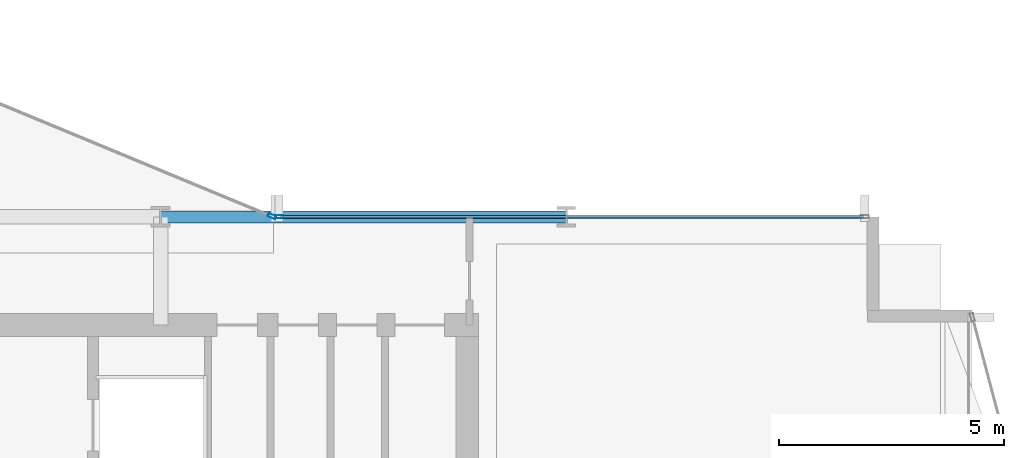
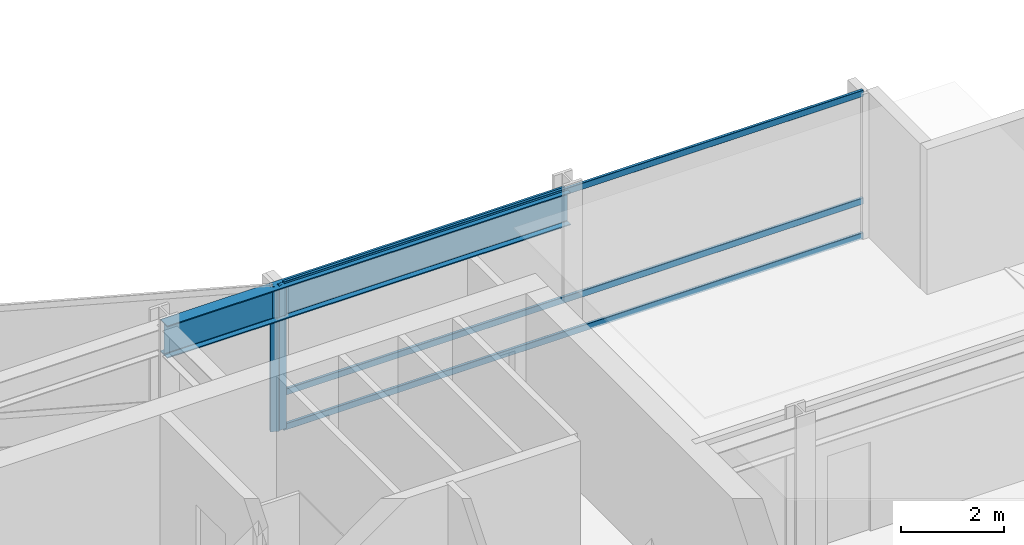
# One storey, part 13 of 28: 5 members, 1 beam, 2 elements without a shape of their own.
"""IFC4 building model written with IfcOpenShell, lengths in metres."""

from ifc_helpers import new_model, si_unit, direction, frame, origin, origin_2d, place, context, subcontext, project, spatial, hollow_rectangle, i_section, extrude, material, layer, layer_set, material_profile, profile_set, type_object, element, aggregate, save


model = new_model("IFC4")

# Units and contexts
model_context = context("Model", 3, precision=1e-05, world=origin(), true_north=direction((0.0, 1.0)))
body_context = subcontext(model_context, "Body", "Model", "MODEL_VIEW")
ifc_project = project(units=[si_unit("LENGTHUNIT", "METRE"), si_unit("AREAUNIT", "SQUARE_METRE"), si_unit("VOLUMEUNIT", "CUBIC_METRE"), si_unit("PLANEANGLEUNIT", "RADIAN"), si_unit("MASSUNIT", "GRAM", prefix="KILO")], contexts=[model_context])

# Site, building, storey
site_placement = place(None, origin())
site = spatial("IfcSite", under=ifc_project, at=site_placement, CompositionType="ELEMENT")
building_placement = place(site_placement, origin())
building = spatial("IfcBuilding", under=site, at=building_placement, Name="Solvaryn Broadcast Tower", CompositionType="ELEMENT")
storey_placement = place(building_placement, frame((0.0, 0.0, 132.199951171875)))
storey = spatial("IfcBuildingStorey", under=building, at=storey_placement, Name="L32", CompositionType="ELEMENT", Elevation=132.199951171875)

# Beam
ifc_material_1 = material(Name="Steel ASTM A992 Grade 50", Category="steel")
ifc_material_profile_1 = material_profile(ifc_material_1, i_section(OverallWidth=0.26708984375, OverallDepth=0.76611328125, WebThickness=0.014892578125, FlangeThickness=0.023681640625, FilletRadius=0.01806640625, at=origin_2d()))
ifc_profile_set_1 = profile_set([ifc_material_profile_1], Name="Steel ASTM A992 Grade 50")
beam_type = type_object("IfcBeamType", Name="BM-SP2-W30X124", PredefinedType="USERDEFINED", material=ifc_profile_set_1)
beam_placement = place(storey_placement, frame((36.0, 27.0, 3.037109375), z_axis=(1.0, 0.0, 0.0), x_axis=(0.0, 1.0, 0.0)))
element("IfcBeam", 1, at=beam_placement, inside=storey, type_object=beam_type, Name="L32 Spandrel Beam X (36-45 @ Y=27)", ObjectType="SPANDREL", PredefinedType="USERDEFINED", context=body_context, shape_type="SweptSolid", body=[
    extrude(i_section(OverallWidth=0.26708984375, OverallDepth=0.76611328125, WebThickness=0.014892578125, FlangeThickness=0.023681640625, FilletRadius=0.01806640625, at=origin_2d()), origin(), (0.0, 0.0, 1.0), 9.0),
])

# Curtain wall, member
ifc_material_2 = material(Name="Aluminium and Terracotta Unitised Curtain Wall", Category="masonry")
ifc_layer = layer(ifc_material_2, 0.199951171875)
ifc_layer_set = layer_set([ifc_layer], Name="CW-SYS2-LOWMID")
curtain_wall_type = type_object("IfcCurtainWallType", Name="CW-SYS2-LOWMID", PredefinedType="NOTDEFINED", material=ifc_layer_set)
curtain_wall_1_placement = place(storey_placement, origin())
curtain_wall_1 = element("IfcCurtainWall", 2, at=curtain_wall_1_placement, inside=storey, type_object=curtain_wall_type, Name="L32 Curtain Wall CN1", PredefinedType="NOTDEFINED")
ifc_material_3 = material(Name="Anodised Aluminium 6063-T6", Category="aluminium")
ifc_material_profile_2 = material_profile(ifc_material_3, hollow_rectangle(XDim=0.074951171875, YDim=0.179931640625, WallThickness=0.00390625, InnerFilletRadius=0.00390625, OuterFilletRadius=0.008056640625, at=origin_2d()))
ifc_profile_set_2 = profile_set([ifc_material_profile_2], Name="Anodised Aluminium 6063-T6")
member_type_1 = type_object("IfcMemberType", Name="CW-MUL-180", PredefinedType="MULLION", material=ifc_profile_set_2)
member_1_placement = place(storey_placement, frame((38.47216796875, 27.011474609375, 0.0), z_axis=(0.0, 0.0, 1.0), x_axis=(-0.382646127145, -0.923894983957, 0.0)))
member_1 = element("IfcMember", 3, at=member_1_placement, type_object=member_type_1, Name="CWS2 mullion 1", PredefinedType="MULLION", context=body_context, shape_type="SweptSolid", body=[
    extrude(hollow_rectangle(XDim=0.074951171875, YDim=0.179931640625, WallThickness=0.00390625, InnerFilletRadius=0.00390625, OuterFilletRadius=0.008056640625, at=origin_2d()), origin(), (0.0, 0.0, 1.0), 3.420166015625),
])
aggregate(curtain_wall_1, [member_1])

# Curtain wall, members
curtain_wall_2_placement = place(storey_placement, origin())
curtain_wall_2 = element("IfcCurtainWall", 4, at=curtain_wall_2_placement, inside=storey, type_object=curtain_wall_type, Name="L32 Curtain Wall IH", PredefinedType="NOTDEFINED")
member_2_placement = place(storey_placement, frame((38.6298828125, 27.0, 0.0), z_axis=(0.0, 0.0, 1.0), x_axis=(0.0, 1.0, 0.0)))
member_2 = element("IfcMember", 5, at=member_2_placement, type_object=member_type_1, Name="CWS2 mullion 1", PredefinedType="MULLION", context=body_context, shape_type="SweptSolid", body=[
    extrude(hollow_rectangle(XDim=0.074951171875, YDim=0.179931640625, WallThickness=0.00390625, InnerFilletRadius=0.00390625, OuterFilletRadius=0.008056640625, at=origin_2d()), origin(), (0.0, 0.0, 1.0), 3.420166015625),
])
ifc_material_4 = material(Name="Anodised Aluminium 6063-T6", Category="aluminium")
ifc_material_profile_3 = material_profile(ifc_material_4, hollow_rectangle(XDim=0.06494140625, YDim=0.14990234375, WallThickness=0.00390625, InnerFilletRadius=0.00390625, OuterFilletRadius=0.008056640625, at=origin_2d()))
ifc_profile_set_3 = profile_set([ifc_material_profile_3], Name="Anodised Aluminium 6063-T6")
member_type_2 = type_object("IfcMemberType", Name="CW-TRN-150", PredefinedType="USERDEFINED", material=ifc_profile_set_3)
member_3_placement = place(storey_placement, frame((38.659912109375, 27.0, 0.030029296875), z_axis=(1.0, 0.0, 0.0), x_axis=(0.0, 1.0, 0.0)))
member_3 = element("IfcMember", 6, at=member_3_placement, type_object=member_type_2, Name="CWS2 transom 1.1", ObjectType="TRANSOM", PredefinedType="USERDEFINED", context=body_context, shape_type="SweptSolid", body=[
    extrude(hollow_rectangle(XDim=0.06494140625, YDim=0.14990234375, WallThickness=0.00390625, InnerFilletRadius=0.00390625, OuterFilletRadius=0.008056640625, at=origin_2d()), origin(), (0.0, 0.0, 1.0), 12.93017578125),
])
member_4_placement = place(storey_placement, frame((38.659912109375, 27.0, 0.85009765625), z_axis=(1.0, 0.0, 0.0), x_axis=(0.0, 1.0, 0.0)))
member_4 = element("IfcMember", 7, at=member_4_placement, type_object=member_type_2, Name="CWS2 transom 1.2", ObjectType="TRANSOM", PredefinedType="USERDEFINED", context=body_context, shape_type="SweptSolid", body=[
    extrude(hollow_rectangle(XDim=0.06494140625, YDim=0.14990234375, WallThickness=0.00390625, InnerFilletRadius=0.00390625, OuterFilletRadius=0.008056640625, at=origin_2d()), origin(), (0.0, 0.0, 1.0), 12.93017578125),
])
member_5_placement = place(storey_placement, frame((38.659912109375, 27.0, 3.39013671875), z_axis=(1.0, 0.0, 0.0), x_axis=(0.0, 1.0, 0.0)))
member_5 = element("IfcMember", 8, at=member_5_placement, type_object=member_type_2, Name="CWS2 transom 1.3", ObjectType="TRANSOM", PredefinedType="USERDEFINED", context=body_context, shape_type="SweptSolid", body=[
    extrude(hollow_rectangle(XDim=0.06494140625, YDim=0.14990234375, WallThickness=0.00390625, InnerFilletRadius=0.00390625, OuterFilletRadius=0.008056640625, at=origin_2d()), origin(), (0.0, 0.0, 1.0), 12.93017578125),
])
aggregate(curtain_wall_2, [member_2, member_3, member_4, member_5])

save(model, "model.ifc")
